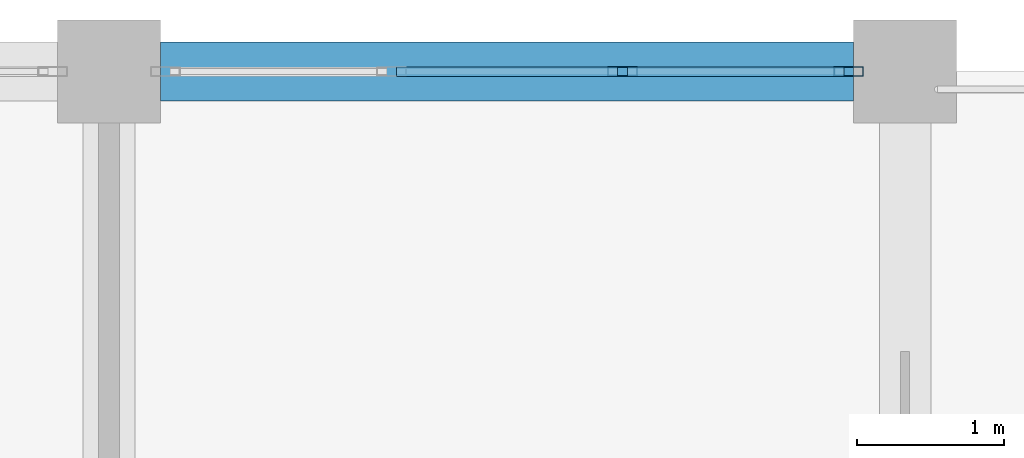
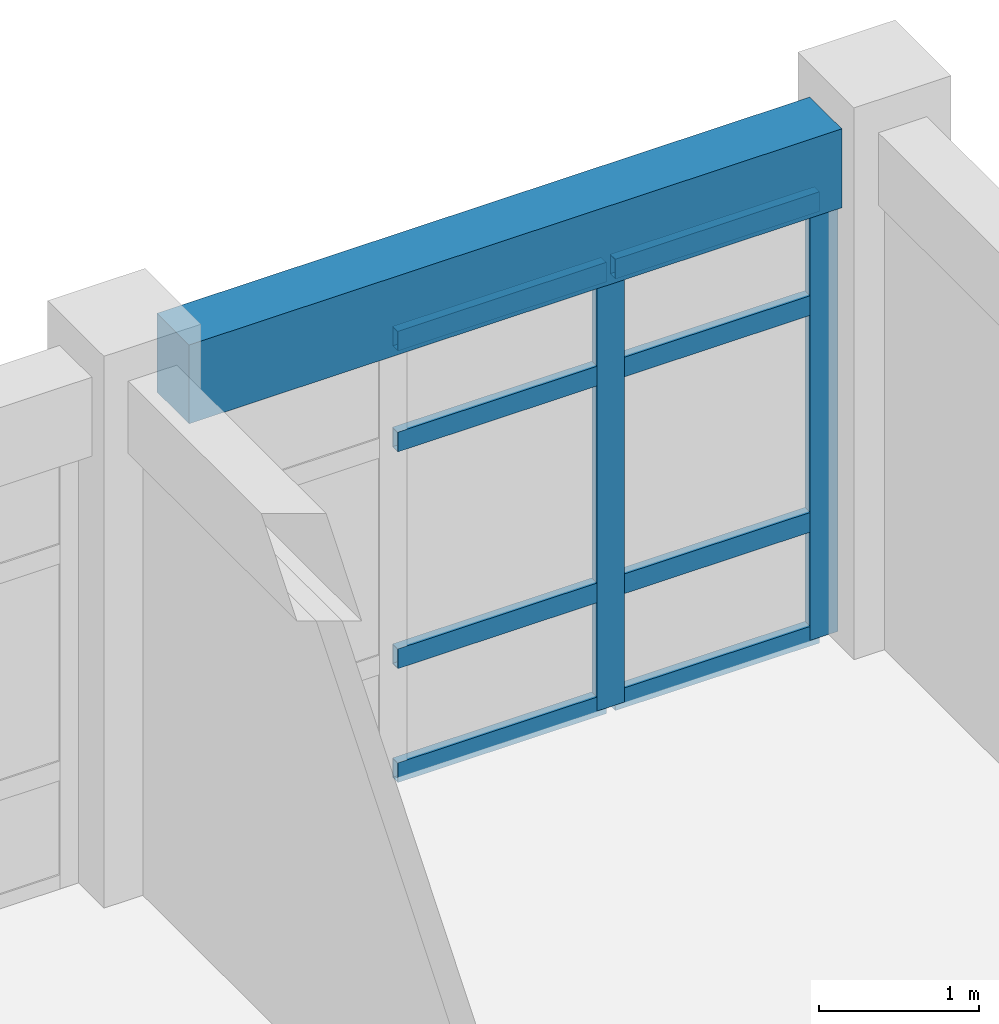
# One storey, part 16 of 23: 10 members, 1 beam, 1 element without a shape of its own.
"""IFC4 building model written with IfcOpenShell, lengths in metres."""

from ifc_helpers import new_model, si_unit, direction, frame, origin, origin_2d, place, context, subcontext, project, spatial, rectangle, hollow_rectangle, extrude, material, layer, layer_set, material_profile, profile_set, type_object, element, aggregate, save


model = new_model("IFC4")

# Units and contexts
model_context = context("Model", 3, precision=1e-05, world=origin(), true_north=direction((0.0, 1.0)))
body_context = subcontext(model_context, "Body", "Model", "MODEL_VIEW")
ifc_project = project(units=[si_unit("LENGTHUNIT", "METRE"), si_unit("AREAUNIT", "SQUARE_METRE"), si_unit("VOLUMEUNIT", "CUBIC_METRE"), si_unit("PLANEANGLEUNIT", "RADIAN"), si_unit("MASSUNIT", "GRAM", prefix="KILO")], contexts=[model_context])

# Site, building, storey
site_placement = place(None, origin())
site = spatial("IfcSite", under=ifc_project, at=site_placement, CompositionType="ELEMENT")
building_placement = place(site_placement, origin())
building = spatial("IfcBuilding", under=site, at=building_placement, Name="Krzemoval Escarpment Law Courts", CompositionType="ELEMENT")
storey_placement = place(building_placement, frame((0.0, 0.0, 33.60009765625)))
storey = spatial("IfcBuildingStorey", under=building, at=storey_placement, Name="L07", CompositionType="ELEMENT", Elevation=33.60009765625)

# Beam
ifc_material_1 = material(Name="Concrete C40/50", Category="concrete")
ifc_material_profile_1 = material_profile(ifc_material_1, rectangle(XDim=0.39990234375, YDim=0.60009765625, at=origin_2d()), Name="RCB 400x600")
ifc_profile_set_1 = profile_set([ifc_material_profile_1], Name="Concrete C40/50")
beam_type = type_object("IfcBeamType", Name="BM-RC-400x600", PredefinedType="BEAM", material=ifc_profile_set_1)
beam_placement = place(storey_placement, frame((156.949951171875, 118.800048828125, 3.64990234375), z_axis=(1.0, 0.0, 0.0), x_axis=(0.0, 1.0, 0.0)))
element("IfcBeam", 1, at=beam_placement, inside=storey, type_object=beam_type, Name="Beam FG-L07-2713", PredefinedType="BEAM", context=body_context, shape_type="SweptSolid", body=[
    extrude(rectangle(XDim=0.39990234375, YDim=0.60009765625, at=origin_2d()), origin(), (0.0, 0.0, 1.0), 4.699951171875),
])

# Curtain wall, members
ifc_material_2 = material(Name="Aluminium 6063-T6", Category="aluminium")
ifc_layer = layer(ifc_material_2, 0.219970703125)
ifc_layer_set = layer_set([ifc_layer], Name="Aluminium 6063-T6")
curtain_wall_type = type_object("IfcCurtainWallType", Name="CW-CHMB-4200", PredefinedType="USERDEFINED", material=ifc_layer_set)
curtain_wall_placement = place(storey_placement, origin())
curtain_wall = element("IfcCurtainWall", 2, at=curtain_wall_placement, inside=storey, type_object=curtain_wall_type, Name="Unitised Curtain Wall FCW-L07-159", ObjectType="UNITISED_CURTAIN_WALL", PredefinedType="USERDEFINED")
ifc_material_3 = material(Name="Aluminium 6063-T6", Category="aluminium")
ifc_material_profile_2 = material_profile(ifc_material_3, hollow_rectangle(XDim=0.06494140625, YDim=0.199951171875, WallThickness=0.00439453125, at=origin_2d()), Name="ALU M65x200")
ifc_profile_set_2 = profile_set([ifc_material_profile_2], Name="Aluminium 6063-T6")
member_type_1 = type_object("IfcMemberType", Name="CWM-65x200", PredefinedType="MULLION", material=ifc_profile_set_2)
member_1_placement = place(storey_placement, frame((160.083251953125, 118.800048828125, 0.0), z_axis=(0.0, 0.0, 1.0), x_axis=(0.0, 1.0, 0.0)))
member_1 = element("IfcMember", 3, at=member_1_placement, type_object=member_type_1, Name="FCW-L07-159 mullion 3", PredefinedType="MULLION", context=body_context, shape_type="SweptSolid", body=[
    extrude(hollow_rectangle(XDim=0.06494140625, YDim=0.199951171875, WallThickness=0.00439453125, at=origin_2d()), origin(), (0.0, 0.0, 1.0), 3.349853515625),
])
member_2_placement = place(storey_placement, frame((161.617431640625, 118.800048828125, 0.0), z_axis=(0.0, 0.0, 1.0), x_axis=(0.0, 1.0, 0.0)))
member_2 = element("IfcMember", 4, at=member_2_placement, type_object=member_type_1, Name="FCW-L07-159 mullion 4", PredefinedType="MULLION", context=body_context, shape_type="SweptSolid", body=[
    extrude(hollow_rectangle(XDim=0.06494140625, YDim=0.199951171875, WallThickness=0.00439453125, at=origin_2d()), origin(), (0.0, 0.0, 1.0), 3.349853515625),
])
ifc_material_4 = material(Name="Aluminium 6063-T6", Category="aluminium")
ifc_material_profile_3 = material_profile(ifc_material_4, hollow_rectangle(XDim=0.06494140625, YDim=0.14990234375, WallThickness=0.00439453125, at=origin_2d()), Name="ALU T65x150")
ifc_profile_set_3 = profile_set([ifc_material_profile_3], Name="Aluminium 6063-T6")
member_type_2 = type_object("IfcMemberType", Name="CWT-65x150", PredefinedType="USERDEFINED", material=ifc_profile_set_3)
member_3_placement = place(storey_placement, frame((158.549072265625, 118.800048828125, 0.032470703125), z_axis=(1.0, 0.0, 0.0), x_axis=(0.0, 1.0, 0.0)))
member_3 = element("IfcMember", 5, at=member_3_placement, type_object=member_type_2, Name="FCW-L07-159 transom 2.1", ObjectType="TRANSOM", PredefinedType="USERDEFINED", context=body_context, shape_type="SweptSolid", body=[
    extrude(hollow_rectangle(XDim=0.06494140625, YDim=0.14990234375, WallThickness=0.00439453125, at=origin_2d()), origin(), (0.0, 0.0, 1.0), 1.501708984375),
])
member_4_placement = place(storey_placement, frame((158.549072265625, 118.800048828125, 0.89990234375), z_axis=(1.0, 0.0, 0.0), x_axis=(0.0, 1.0, 0.0)))
member_4 = element("IfcMember", 6, at=member_4_placement, type_object=member_type_2, Name="FCW-L07-159 transom 2.2", ObjectType="TRANSOM", PredefinedType="USERDEFINED", context=body_context, shape_type="SweptSolid", body=[
    extrude(hollow_rectangle(XDim=0.06494140625, YDim=0.14990234375, WallThickness=0.00439453125, at=origin_2d()), origin(), (0.0, 0.0, 1.0), 1.501708984375),
])
member_5_placement = place(storey_placement, frame((158.549072265625, 118.800048828125, 2.5498046875), z_axis=(1.0, 0.0, 0.0), x_axis=(0.0, 1.0, 0.0)))
member_5 = element("IfcMember", 7, at=member_5_placement, type_object=member_type_2, Name="FCW-L07-159 transom 2.3", ObjectType="TRANSOM", PredefinedType="USERDEFINED", context=body_context, shape_type="SweptSolid", body=[
    extrude(hollow_rectangle(XDim=0.06494140625, YDim=0.14990234375, WallThickness=0.00439453125, at=origin_2d()), origin(), (0.0, 0.0, 1.0), 1.501708984375),
])
member_6_placement = place(storey_placement, frame((158.549072265625, 118.800048828125, 3.3173828125), z_axis=(1.0, 0.0, 0.0), x_axis=(0.0, 1.0, 0.0)))
member_6 = element("IfcMember", 8, at=member_6_placement, type_object=member_type_2, Name="FCW-L07-159 transom 2.4", ObjectType="TRANSOM", PredefinedType="USERDEFINED", context=body_context, shape_type="SweptSolid", body=[
    extrude(hollow_rectangle(XDim=0.06494140625, YDim=0.14990234375, WallThickness=0.00439453125, at=origin_2d()), origin(), (0.0, 0.0, 1.0), 1.501708984375),
])
member_7_placement = place(storey_placement, frame((160.11572265625, 118.800048828125, 0.032470703125), z_axis=(1.0, 0.0, 0.0), x_axis=(0.0, 1.0, 0.0)))
member_7 = element("IfcMember", 9, at=member_7_placement, type_object=member_type_2, Name="FCW-L07-159 transom 3.1", ObjectType="TRANSOM", PredefinedType="USERDEFINED", context=body_context, shape_type="SweptSolid", body=[
    extrude(hollow_rectangle(XDim=0.06494140625, YDim=0.14990234375, WallThickness=0.00439453125, at=origin_2d()), origin(), (0.0, 0.0, 1.0), 1.46923828125),
])
member_8_placement = place(storey_placement, frame((160.11572265625, 118.800048828125, 0.89990234375), z_axis=(1.0, 0.0, 0.0), x_axis=(0.0, 1.0, 0.0)))
member_8 = element("IfcMember", 10, at=member_8_placement, type_object=member_type_2, Name="FCW-L07-159 transom 3.2", ObjectType="TRANSOM", PredefinedType="USERDEFINED", context=body_context, shape_type="SweptSolid", body=[
    extrude(hollow_rectangle(XDim=0.06494140625, YDim=0.14990234375, WallThickness=0.00439453125, at=origin_2d()), origin(), (0.0, 0.0, 1.0), 1.46923828125),
])
member_9_placement = place(storey_placement, frame((160.11572265625, 118.800048828125, 2.5498046875), z_axis=(1.0, 0.0, 0.0), x_axis=(0.0, 1.0, 0.0)))
member_9 = element("IfcMember", 11, at=member_9_placement, type_object=member_type_2, Name="FCW-L07-159 transom 3.3", ObjectType="TRANSOM", PredefinedType="USERDEFINED", context=body_context, shape_type="SweptSolid", body=[
    extrude(hollow_rectangle(XDim=0.06494140625, YDim=0.14990234375, WallThickness=0.00439453125, at=origin_2d()), origin(), (0.0, 0.0, 1.0), 1.46923828125),
])
member_10_placement = place(storey_placement, frame((160.11572265625, 118.800048828125, 3.3173828125), z_axis=(1.0, 0.0, 0.0), x_axis=(0.0, 1.0, 0.0)))
member_10 = element("IfcMember", 12, at=member_10_placement, type_object=member_type_2, Name="FCW-L07-159 transom 3.4", ObjectType="TRANSOM", PredefinedType="USERDEFINED", context=body_context, shape_type="SweptSolid", body=[
    extrude(hollow_rectangle(XDim=0.06494140625, YDim=0.14990234375, WallThickness=0.00439453125, at=origin_2d()), origin(), (0.0, 0.0, 1.0), 1.46923828125),
])
aggregate(curtain_wall, [member_1, member_2, member_3, member_4, member_5, member_6, member_7, member_8, member_9, member_10])

save(model, "model.ifc")
